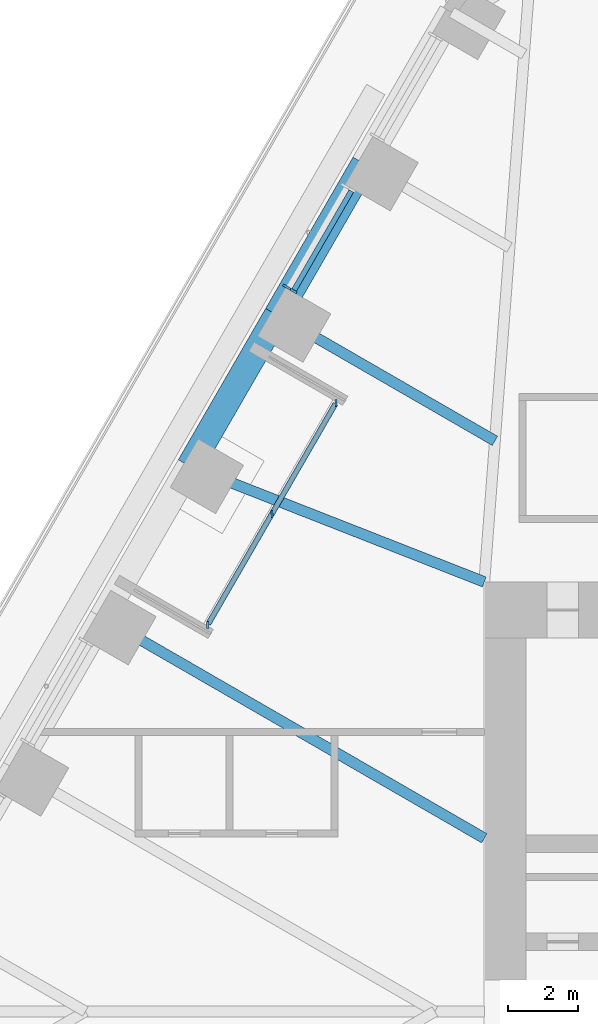
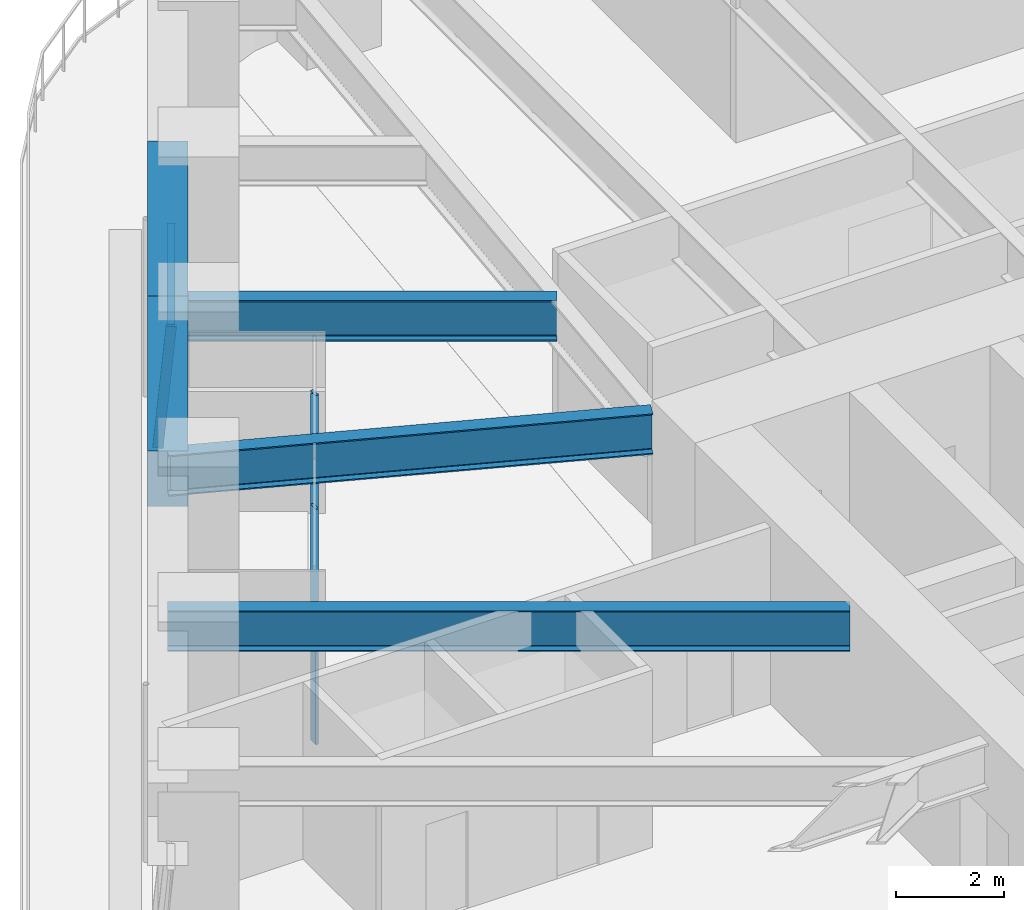
# One storey, part 8 of 24: 6 members, 5 beams, 2 elements without a shape of their own.
"""IFC4 building model written with IfcOpenShell, lengths in metres."""

import ifcopenshell
import ifcopenshell.guid

model = None  # the IFC model being written
_history = None  # IfcOwnerHistory: only IFC2X3 demands one
_inside = {}  # id of a spatial element -> (the spatial element, [elements in it])
_under = {}  # id of a project, library or spatial element -> (it, [spatial elements below it])
_declared = {}  # id of a project -> (the project, [libraries it declares])
_typed = {}  # id of a type object -> (the type object, [elements of that type])
_made_of = {}  # id of a material, layer set ... -> (it, [elements and type objects made of it])


def new_model(schema):
    """Start an empty IFC model of exactly this schema.

    Asked for "IFC4X3", IfcOpenShell would pick the latest addendum, in which some entities
    have other attributes; the version numbers below select the first issue.
    IFC2X3 requires an IfcOwnerHistory on every rooted entity: one is made here for all.
    """
    global model, _history
    if schema == "IFC4X3":
        model = ifcopenshell.file(schema_version=(4, 3, 0, 0))
    else:
        model = ifcopenshell.file(schema=schema)
    _inside.clear()
    _under.clear()
    _declared.clear()
    _typed.clear()
    _made_of.clear()
    _history = None
    if model.schema == "IFC2X3":
        org = make("IfcOrganization", Name="unknown")
        user = make(
            "IfcPersonAndOrganization",
            ThePerson=make("IfcPerson", FamilyName="unknown"),
            TheOrganization=org,
        )
        app = make(
            "IfcApplication",
            ApplicationDeveloper=org,
            Version="unknown",
            ApplicationFullName="unknown",
            ApplicationIdentifier="unknown",
        )
        _history = make(
            "IfcOwnerHistory",
            OwningUser=user,
            OwningApplication=app,
            ChangeAction="ADDED",
            CreationDate=0,
        )
    return model


def make(cls, **values):
    """One entity of the class cls with the attributes given. An attribute that is None is left unset."""
    return model.create_entity(
        cls, **{name: value for name, value in values.items() if value is not None}
    )


def rooted(cls, **values):
    """An entity with a GlobalId (a new one), such as an element, a storey or a relation."""
    return make(cls, GlobalId=ifcopenshell.guid.new(), OwnerHistory=_history, **values)


def si_unit(unit_type, name, prefix=None):
    """IfcSIUnit, for example si_unit("LENGTHUNIT", "METRE", prefix="MILLI")."""
    return make("IfcSIUnit", UnitType=unit_type, Prefix=prefix, Name=name)


def assignment(units):
    """IfcUnitAssignment: the units of a project."""
    return None if units is None else make("IfcUnitAssignment", Units=units)


def point(xyz):
    """IfcCartesianPoint."""
    return None if xyz is None else make("IfcCartesianPoint", Coordinates=xyz)


def direction(xyz):
    """IfcDirection."""
    return None if xyz is None else make("IfcDirection", DirectionRatios=xyz)


def frame(location, z_axis=None, x_axis=None):
    """IfcAxis2Placement3D, a coordinate frame: its origin and axes. An axis left out is left unset."""
    return make(
        "IfcAxis2Placement3D",
        Location=point(location),
        Axis=direction(z_axis),
        RefDirection=direction(x_axis),
    )


def frame_2d(location, x_axis=None):
    """IfcAxis2Placement2D, a coordinate frame in the plane: its origin and x axis."""
    return make(
        "IfcAxis2Placement2D", Location=point(location), RefDirection=direction(x_axis)
    )


def origin():
    """The frame at (0, 0, 0) with its axes left unset."""
    return frame((0.0, 0.0, 0.0))


def origin_2d():
    """The frame at (0, 0) in the plane with its x axis left unset."""
    return frame_2d((0.0, 0.0))


def place(relative_to, where):
    """IfcLocalPlacement: puts the frame where relative to a parent placement (None: the world)."""
    return make(
        "IfcLocalPlacement", PlacementRelTo=relative_to, RelativePlacement=where
    )


def context(
    kind, dimensions, precision=None, world=None, true_north=None, identifier=None
):
    """IfcGeometricRepresentationContext, for example the 3D "Model" context."""
    return make(
        "IfcGeometricRepresentationContext",
        ContextIdentifier=identifier,
        ContextType=kind,
        CoordinateSpaceDimension=dimensions,
        Precision=precision,
        WorldCoordinateSystem=world,
        TrueNorth=true_north,
    )


def subcontext(parent, identifier, kind, view, scale=None):
    """IfcGeometricRepresentationSubContext, for example "Body" below "Model"."""
    return make(
        "IfcGeometricRepresentationSubContext",
        ContextIdentifier=identifier,
        ContextType=kind,
        ParentContext=parent,
        TargetScale=scale,
        TargetView=view,
    )


def project(units=None, contexts=None):
    """IfcProject with its units and contexts."""
    return rooted(
        "IfcProject",
        Name="project",
        RepresentationContexts=contexts,
        UnitsInContext=assignment(units),
    )


def spatial(cls, under=None, at=None, **own):
    """A site, building, storey or space (cls), placed at a placement, below another one or the project."""
    s = rooted(cls, ObjectPlacement=at, **own)
    if under is not None:
        _under.setdefault(under.id(), (under, []))[1].append(s)
    return s


def profile(cls, at=None, kind="AREA", **sizes):
    """A parametric profile (cls). Its sizes go by their IFC names, for example OverallWidth=200.0."""
    return make(cls, ProfileType=kind, Position=at, **sizes)


def rectangle(**sizes):
    """IfcRectangleProfileDef."""
    return profile("IfcRectangleProfileDef", **sizes)


def i_section(**sizes):
    """IfcIShapeProfileDef."""
    return profile("IfcIShapeProfileDef", **sizes)


def extrude(swept, where, along, depth):
    """IfcExtrudedAreaSolid: the profile swept, set in the frame where, extruded along a direction by depth."""
    return make(
        "IfcExtrudedAreaSolid",
        SweptArea=swept,
        Position=where,
        ExtrudedDirection=direction(along),
        Depth=depth,
    )


def shape(context_of_items, identifier, shape_type, items):
    """IfcShapeRepresentation: the items that make up one representation, for example the "Body"."""
    return make(
        "IfcShapeRepresentation",
        ContextOfItems=context_of_items,
        RepresentationIdentifier=identifier,
        RepresentationType=shape_type,
        Items=items,
    )


def material(Name=None, Category=None):
    """IfcMaterial."""
    return make("IfcMaterial", Name=Name, Category=Category)


def material_profile(
    of_material, cross_section, Name=None, Category=None, Priority=None
):
    """IfcMaterialProfile: a cross section and its material."""
    return make(
        "IfcMaterialProfile",
        Name=Name,
        Material=of_material,
        Profile=cross_section,
        Priority=Priority,
        Category=Category,
    )


def profile_set(profiles, Name=None, composite=None):
    """IfcMaterialProfileSet."""
    return make(
        "IfcMaterialProfileSet",
        Name=Name,
        MaterialProfiles=profiles,
        CompositeProfile=composite,
    )


def made_of(thing, what):
    """Note that an element or type object is made of a material, layer set ...; save() writes the relation."""
    if what is not None:
        _made_of.setdefault(what.id(), (what, []))[1].append(thing)
    return thing


def type_object(cls, material=None, **own):
    """A type object (cls), such as IfcWallType, which elements share."""
    return made_of(rooted(cls, **own), material)


def element(
    cls,
    number,
    at=None,
    inside=None,
    cuts=None,
    type_object=None,
    material=None,
    context=None,
    identifier="Body",
    shape_type=None,
    held_by="IfcProductDefinitionShape",
    body=None,
    shapes=None,
    **own,
):
    """One element of the class cls, such as IfcWall. Its Tag is "e" and its number.

    at: its placement. inside: the storey or other place that contains it. cuts: it is an
    opening in that element (IfcRelVoidsElement). A single representation is given by context,
    identifier, shape_type and body (its items); several are given by shapes. held_by: the class
    of the entity that holds the representations. save() writes the other relations.
    """
    e = rooted(cls, Tag="e%d" % number, ObjectPlacement=at, **own)
    if body is not None:
        shapes = [shape(context, identifier, shape_type, body)]
    if shapes is not None:
        e.Representation = make(held_by, Representations=shapes)
    if inside is not None:
        _inside.setdefault(inside.id(), (inside, []))[1].append(e)
    if cuts is not None:
        rooted(
            "IfcRelVoidsElement", RelatingBuildingElement=cuts, RelatedOpeningElement=e
        )
    if type_object is not None:
        _typed.setdefault(type_object.id(), (type_object, []))[1].append(e)
    return made_of(e, material)


def aggregate(whole, parts):
    """IfcRelAggregates: a whole, such as a stair, and the parts it consists of."""
    return rooted("IfcRelAggregates", RelatingObject=whole, RelatedObjects=parts)


def save(model, path):
    """Write the relations noted so far, then the file.

    IfcRelAggregates (storeys below a building ...), IfcRelContainedInSpatialStructure (elements
    in a storey), IfcRelDefinesByType, IfcRelAssociatesMaterial and IfcRelDeclares: one each for
    every whole, place, type object, material and project.
    """
    for whole, parts in _under.values():
        aggregate(whole, parts)
    for where, things in _inside.values():
        rooted(
            "IfcRelContainedInSpatialStructure",
            RelatedElements=things,
            RelatingStructure=where,
        )
    for kind, things in _typed.values():
        rooted("IfcRelDefinesByType", RelatedObjects=things, RelatingType=kind)
    for what, things in _made_of.values():
        rooted("IfcRelAssociatesMaterial", RelatedObjects=things, RelatingMaterial=what)
    for by, libraries in _declared.values():
        rooted("IfcRelDeclares", RelatingContext=by, RelatedDefinitions=libraries)
    model.write(path)


model = new_model("IFC4")

# Units and contexts
model_context = context("Model", 3, precision=1e-05, world=origin(), true_north=direction((0.0, 1.0)))
body_context = subcontext(model_context, "Body", "Model", "MODEL_VIEW")
ifc_project = project(units=[si_unit("LENGTHUNIT", "METRE"), si_unit("AREAUNIT", "SQUARE_METRE"), si_unit("VOLUMEUNIT", "CUBIC_METRE"), si_unit("PLANEANGLEUNIT", "RADIAN"), si_unit("MASSUNIT", "GRAM", prefix="KILO")], contexts=[model_context])

# Site, building, storey
site_placement = place(None, origin())
site = spatial("IfcSite", under=ifc_project, at=site_placement, CompositionType="ELEMENT")
building_placement = place(site_placement, origin())
building = spatial("IfcBuilding", under=site, at=building_placement, Name="Tarfa Lantern Tower", CompositionType="ELEMENT")
storey_placement = place(building_placement, frame((0.0, 0.0, 144.699951171875)))
storey = spatial("IfcBuildingStorey", under=building, at=storey_placement, Name="L32", CompositionType="ELEMENT", Elevation=144.699951171875)

# Curtain wall, member
ifc_material_1 = material(Name="Aluminium framed curtain wall", Category="aluminium")
curtain_wall_type_1 = type_object("IfcCurtainWallType", Name="CW2 CANTED GLAZING MID ZONE 2750", PredefinedType="USERDEFINED", material=ifc_material_1)
curtain_wall_1_placement = place(storey_placement, origin())
curtain_wall_1 = element("IfcCurtainWall", 1, at=curtain_wall_1_placement, inside=storey, type_object=curtain_wall_type_1, Name="CW2 NW L32", ObjectType="CURTAIN WALL", PredefinedType="USERDEFINED")
ifc_material_2 = material(Name="Aluminium mullion", Category="aluminium")
ifc_material_profile_1 = material_profile(ifc_material_2, rectangle(XDim=0.06494140625, YDim=0.199951171875, at=origin_2d()), Name="AL MULLION 65x200")
ifc_profile_set_1 = profile_set([ifc_material_profile_1], Name="Aluminium mullion")
member_type_1 = type_object("IfcMemberType", Name="CWM1 MULLION 65x200", PredefinedType="MULLION", material=ifc_profile_set_1)
member_1_placement = place(storey_placement, frame((-24.275146484375, 20.75439453125, 0.0), z_axis=(0.078422950161, -0.045267813396, 0.995891894715), x_axis=(0.499919672301, 0.866071776036, 0.0)))
member_1 = element("IfcMember", 2, at=member_1_placement, type_object=member_type_1, Name="CW2 mullion 2", PredefinedType="MULLION", context=body_context, shape_type="SweptSolid", body=[
    extrude(rectangle(XDim=0.06494140625, YDim=0.199951171875, at=origin_2d()), origin(), (0.0, 0.0, 1.0), 2.76123046875),
])

# Curtain wall, members
curtain_wall_type_2 = type_object("IfcCurtainWallType", Name="CW10 LOGGIA GLAZING 2750", PredefinedType="USERDEFINED", material=ifc_material_1)
curtain_wall_2_placement = place(storey_placement, origin())
curtain_wall_2 = element("IfcCurtainWall", 3, at=curtain_wall_2_placement, inside=storey, type_object=curtain_wall_type_2, Name="CW10 NWL L32", ObjectType="CURTAIN WALL", PredefinedType="USERDEFINED")
member_2_placement = place(storey_placement, frame((-22.84619140625, 17.429443359375, 0.0), z_axis=(0.0, 0.0, 1.0), x_axis=(1.0, 0.0, 0.0)))
member_2 = element("IfcMember", 4, at=member_2_placement, type_object=member_type_1, Name="CW10 mullion 1", PredefinedType="MULLION", context=body_context, shape_type="SweptSolid", body=[
    extrude(rectangle(XDim=0.06494140625, YDim=0.199951171875, at=origin_2d()), origin(), (0.0, 0.0, 1.0), 2.75),
])
member_3_placement = place(storey_placement, frame((-24.681640625, 14.25, 0.0), z_axis=(0.0, 0.0, 1.0), x_axis=(1.0, 0.0, 0.0)))
member_3 = element("IfcMember", 5, at=member_3_placement, type_object=member_type_1, Name="CW10 mullion 2", PredefinedType="MULLION", context=body_context, shape_type="SweptSolid", body=[
    extrude(rectangle(XDim=0.06494140625, YDim=0.199951171875, at=origin_2d()), origin(), (0.0, 0.0, 1.0), 2.75),
])
member_4_placement = place(storey_placement, frame((-26.517333984375, 11.070556640625, 0.0), z_axis=(0.0, 0.0, 1.0), x_axis=(1.0, 0.0, 0.0)))
member_4 = element("IfcMember", 6, at=member_4_placement, type_object=member_type_1, Name="CW10 mullion 3", PredefinedType="MULLION", context=body_context, shape_type="SweptSolid", body=[
    extrude(rectangle(XDim=0.06494140625, YDim=0.199951171875, at=origin_2d()), origin(), (0.0, 0.0, 1.0), 2.75),
])

# Member
ifc_material_3 = material(Name="Aluminium transom", Category="aluminium")
ifc_material_profile_2 = material_profile(ifc_material_3, rectangle(XDim=0.14990234375, YDim=0.06494140625, at=origin_2d()), Name="AL TRANSOM 150x65")
ifc_profile_set_2 = profile_set([ifc_material_profile_2], Name="Aluminium transom")
member_type_2 = type_object("IfcMemberType", Name="CWT1 TRANSOM 150x65", PredefinedType="USERDEFINED", material=ifc_profile_set_2)
member_5_placement = place(storey_placement, frame((-22.407958984375, 23.494140625, 2.717529296875), z_axis=(-0.500012937857, -0.86601793398, 0.0), x_axis=(0.86601793398, -0.500012937857, 0.0)))
member_5 = element("IfcMember", 7, at=member_5_placement, type_object=member_type_2, Name="CW2 transom 1.2", ObjectType="TRANSOM", PredefinedType="USERDEFINED", context=body_context, shape_type="SweptSolid", body=[
    extrude(rectangle(XDim=0.14990234375, YDim=0.06494140625, at=origin_2d()), origin(), (0.0, 0.0, 1.0), 3.27392578125),
])

aggregate(curtain_wall_1, [member_1, member_5])

member_6_placement = place(storey_placement, frame((-22.8623046875, 17.401123046875, 2.717529296875), z_axis=(-0.500007048974, -0.866021334019, 0.0), x_axis=(0.866021334019, -0.500007048974, 0.0)))
member_6 = element("IfcMember", 8, at=member_6_placement, type_object=member_type_2, Name="CW10 transom 1.2", ObjectType="TRANSOM", PredefinedType="USERDEFINED", context=body_context, shape_type="SweptSolid", body=[
    extrude(rectangle(XDim=0.14990234375, YDim=0.06494140625, at=origin_2d()), origin(), (0.0, 0.0, 1.0), 7.27734375),
])

aggregate(curtain_wall_2, [member_2, member_3, member_4, member_6])

# Beams
ifc_material_4 = material(Name="Concrete C80/95", Category="concrete")
ifc_material_profile_3 = material_profile(ifc_material_4, rectangle(XDim=0.75, YDim=1.25, at=origin_2d()), Name="RC 750x1250")
ifc_profile_set_3 = profile_set([ifc_material_profile_3], Name="Concrete C80/95")
beam_type_1 = type_object("IfcBeamType", Name="EB2 RC 750x1250", PredefinedType="SPANDREL", material=ifc_profile_set_3)
for number, where, z_axis, x_axis, name in (
    (9, (-22.03369140625, 24.276611328125, 3.375), (-0.49998573051, -0.866033642122, 0.0), (0.866033642122, -0.49998573051, 0.0), "Edge beam NW1"),
    (10, (-24.535400390625, 19.943359375, 3.375), (-0.500022324899, -0.866012514114, 0.0), (0.866012514114, -0.500022324899, 0.0), "Edge beam NW2"),
):
    element("IfcBeam", number, at=place(storey_placement, frame(where, z_axis=z_axis, x_axis=x_axis)), inside=storey, type_object=beam_type_1, Name=name, PredefinedType="SPANDREL", context=body_context, shape_type="SweptSolid", body=[
        extrude(rectangle(XDim=0.75, YDim=1.25, at=origin_2d()), origin(), (0.0, 0.0, 1.0), 5.003662109375),
    ])
ifc_material_5 = material(Name="Steel S460M", Category="steel")
ifc_material_profile_4 = material_profile(ifc_material_5, i_section(OverallWidth=0.305419921875, OverallDepth=0.91845703125, WebThickness=0.017333984375, FlangeThickness=0.02783203125, FilletRadius=0.01904296875, at=origin_2d()), Name="UB914x305x253")
ifc_profile_set_4 = profile_set([ifc_material_profile_4], Name="Steel S460M")
beam_type_2 = type_object("IfcBeamType", Name="UB914x305x253", PredefinedType="BEAM", material=ifc_profile_set_4)
beam_1_placement = place(storey_placement, frame((-24.535400390625, 19.943359375, 3.540771484375), z_axis=(0.86602647304, -0.499998147991, 0.0), x_axis=(0.499998147991, 0.86602647304, 0.0)))
element("IfcBeam", 11, at=beam_1_placement, inside=storey, type_object=beam_type_2, Name="Floor beam NW2", PredefinedType="BEAM", context=body_context, shape_type="SweptSolid", body=[
    extrude(i_section(OverallWidth=0.305419921875, OverallDepth=0.91845703125, WebThickness=0.017333984375, FlangeThickness=0.02783203125, FilletRadius=0.01904296875, at=origin_2d()), origin(), (0.0, 0.0, 1.0), 7.20556640625),
])
beam_2_placement = place(storey_placement, frame((-27.037353515625, 15.610107421875, 3.540771484375), z_axis=(0.930923282782, -0.365214788274, 0.0), x_axis=(0.365214788274, 0.930923282782, 0.0)))
element("IfcBeam", 12, at=beam_2_placement, inside=storey, type_object=beam_type_2, Name="Floor beam NW3", PredefinedType="BEAM", context=body_context, shape_type="SweptSolid", body=[
    extrude(i_section(OverallWidth=0.305419921875, OverallDepth=0.91845703125, WebThickness=0.017333984375, FlangeThickness=0.02783203125, FilletRadius=0.01904296875, at=origin_2d()), origin(), (0.0, 0.0, 1.0), 9.063232421875),
])
beam_3_placement = place(storey_placement, frame((-29.5390625, 11.276611328125, 3.540771484375), z_axis=(0.866023362995, -0.500003534735, 0.0), x_axis=(0.500003534735, 0.866023362995, 0.0)))
element("IfcBeam", 13, at=beam_3_placement, inside=storey, type_object=beam_type_2, Name="Floor beam NW4", PredefinedType="BEAM", context=body_context, shape_type="SweptSolid", body=[
    extrude(i_section(OverallWidth=0.305419921875, OverallDepth=0.91845703125, WebThickness=0.017333984375, FlangeThickness=0.02783203125, FilletRadius=0.01904296875, at=origin_2d()), origin(), (0.0, 0.0, 1.0), 12.63134765625),
])

save(model, "model.ifc")
